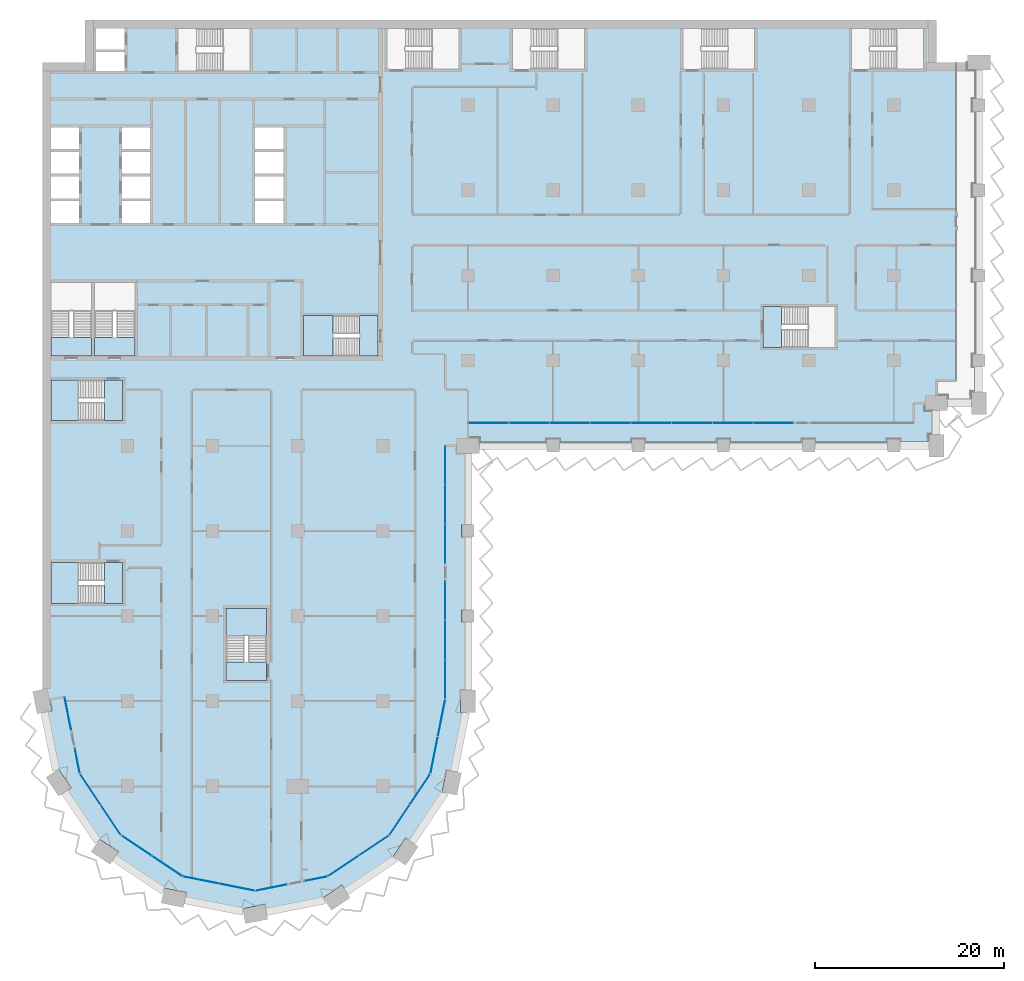
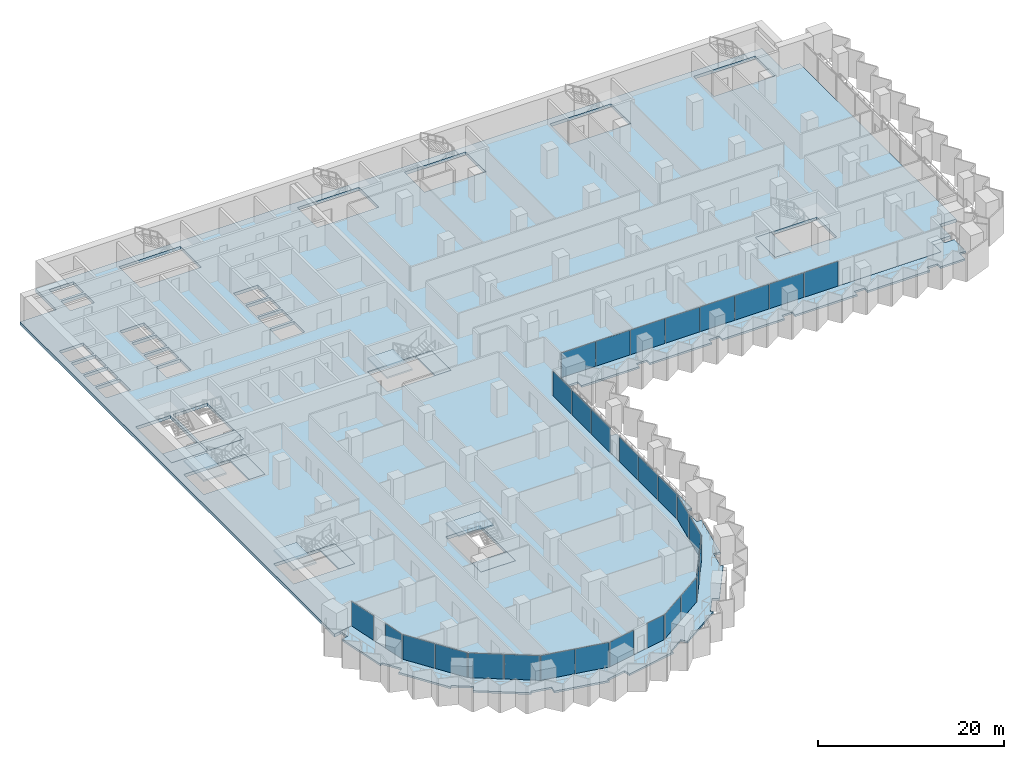
# One storey, part 8 of 28: 30 plates, 14 slabs, 17 elements without a shape of their own.
"""IFC4 building model written with IfcOpenShell, lengths in metres."""

from ifc_helpers import new_model, si_unit, direction, frame, origin, origin_2d, place, context, subcontext, project, spatial, polyline, rectangle, outline, extrude, material, layer, layer_set, type_object, element, aggregate, save


model = new_model("IFC4")

# Units and contexts
model_context = context("Model", 3, precision=1e-05, world=origin(), true_north=direction((0.0, 1.0)))
body_context = subcontext(model_context, "Body", "Model", "MODEL_VIEW")
ifc_project = project(units=[si_unit("LENGTHUNIT", "METRE"), si_unit("AREAUNIT", "SQUARE_METRE"), si_unit("VOLUMEUNIT", "CUBIC_METRE"), si_unit("PLANEANGLEUNIT", "RADIAN"), si_unit("MASSUNIT", "GRAM", prefix="KILO")], contexts=[model_context])

# Site, building, storey
site_placement = place(None, origin())
site = spatial("IfcSite", under=ifc_project, at=site_placement, CompositionType="ELEMENT")
building_placement = place(site_placement, origin())
building = spatial("IfcBuilding", under=site, at=building_placement, Name="Hunhe Ridgeline Campus", CompositionType="ELEMENT")
storey_placement = place(building_placement, frame((0.0, 0.0, 72.800048828125)))
storey = spatial("IfcBuildingStorey", under=building, at=storey_placement, Name="L17", CompositionType="ELEMENT", Elevation=72.800048828125)

# Curtain wall, plate
ifc_material_1 = material(Name="Aluminium 6063", Category="aluminium")
curtain_wall_type_1 = type_object("IfcCurtainWallType", Name="Curtain wall CW-5", PredefinedType="NOTDEFINED", material=ifc_material_1)
curtain_wall_1_placement = place(storey_placement, origin())
curtain_wall_1 = element("IfcCurtainWall", 1, at=curtain_wall_1_placement, inside=storey, type_object=curtain_wall_type_1, Name="Curtain wall 01", PredefinedType="NOTDEFINED")
ifc_material_2 = material(Name="Low-e laminated glass", Category="glass")
ifc_layer_1 = layer(ifc_material_2, 0.028076171875)
ifc_layer_set_1 = layer_set([ifc_layer_1], Name="Curtain wall glass panel 28 low-e laminated")
plate_type = type_object("IfcPlateType", Name="Curtain wall glass panel 28 low-e laminated", PredefinedType="CURTAIN_PANEL", material=ifc_layer_set_1)
plate_1_placement = place(storey_placement, frame((2.7158203125, 25.65380859375, 0.0), z_axis=(0.0, 0.0, 1.0), x_axis=(0.195095326561, -0.980784284924, 0.0)))
plate_1 = element("IfcPlate", 2, at=plate_1_placement, type_object=plate_type, Name="CW-5 panel 1", PredefinedType="CURTAIN_PANEL", context=body_context, shape_type="SweptSolid", body=[
    extrude(rectangle(XDim=3.560791015625, YDim=0.028076171875, at=origin_2d()), origin(), (0.0, 0.0, 1.0), 3.22998046875),
])
aggregate(curtain_wall_1, [plate_1])

curtain_wall_2_placement = place(storey_placement, origin())
curtain_wall_2 = element("IfcCurtainWall", 3, at=curtain_wall_2_placement, inside=storey, type_object=curtain_wall_type_1, Name="Curtain wall 02", PredefinedType="NOTDEFINED")
plate_2_placement = place(storey_placement, frame((3.701171875, 20.699951171875, 0.0), z_axis=(0.0, 0.0, 1.0), x_axis=(0.195095265587, -0.980784297053, 0.0)))
plate_2 = element("IfcPlate", 4, at=plate_2_placement, type_object=plate_type, Name="CW-5 panel 1", PredefinedType="CURTAIN_PANEL", context=body_context, shape_type="SweptSolid", body=[
    extrude(rectangle(XDim=2.660888671875, YDim=0.028076171875, at=origin_2d()), origin(), (0.0, 0.0, 1.0), 3.22998046875),
])
aggregate(curtain_wall_2, [plate_2])

# Curtain wall, plates
curtain_wall_3_placement = place(storey_placement, origin())
curtain_wall_3 = element("IfcCurtainWall", 5, at=curtain_wall_3_placement, inside=storey, type_object=curtain_wall_type_1, Name="Curtain wall 03", PredefinedType="NOTDEFINED")
plate_3_placement = place(storey_placement, frame((5.07080078125, 17.685546875, 0.0), z_axis=(0.0, 0.0, 1.0), x_axis=(0.555570274596, -0.831469584522, 0.0)))
plate_3 = element("IfcPlate", 6, at=plate_3_placement, type_object=plate_type, Name="CW-5 panel 1", PredefinedType="CURTAIN_PANEL", context=body_context, shape_type="SweptSolid", body=[
    extrude(rectangle(XDim=3.806884765625, YDim=0.028076171875, at=origin_2d()), origin(), (0.0, 0.0, 1.0), 3.22998046875),
])
plate_4_placement = place(storey_placement, frame((7.224609375, 14.4619140625, 0.0), z_axis=(0.0, 0.0, 1.0), x_axis=(0.555570274596, -0.831469584522, 0.0)))
plate_4 = element("IfcPlate", 7, at=plate_4_placement, type_object=plate_type, Name="CW-5 panel 2", PredefinedType="CURTAIN_PANEL", context=body_context, shape_type="SweptSolid", body=[
    extrude(rectangle(XDim=3.806884765625, YDim=0.028076171875, at=origin_2d()), origin(), (0.0, 0.0, 1.0), 3.22998046875),
])
aggregate(curtain_wall_3, [plate_3, plate_4])

curtain_wall_4_placement = place(storey_placement, origin())
curtain_wall_4 = element("IfcCurtainWall", 8, at=curtain_wall_4_placement, inside=storey, type_object=curtain_wall_type_1, Name="Curtain wall 04", PredefinedType="NOTDEFINED")
plate_5_placement = place(storey_placement, frame((9.9619140625, 11.724609375, 0.0), z_axis=(0.0, 0.0, 1.0), x_axis=(0.831469584522, -0.555570274596, 0.0)))
plate_5 = element("IfcPlate", 9, at=plate_5_placement, type_object=plate_type, Name="CW-5 panel 1", PredefinedType="CURTAIN_PANEL", context=body_context, shape_type="SweptSolid", body=[
    extrude(rectangle(XDim=3.806884765625, YDim=0.028076171875, at=origin_2d()), origin(), (0.0, 0.0, 1.0), 3.22998046875),
])
plate_6_placement = place(storey_placement, frame((13.185546875, 9.57080078125, 0.0), z_axis=(0.0, 0.0, 1.0), x_axis=(0.831469584522, -0.555570274596, 0.0)))
plate_6 = element("IfcPlate", 10, at=plate_6_placement, type_object=plate_type, Name="CW-5 panel 2", PredefinedType="CURTAIN_PANEL", context=body_context, shape_type="SweptSolid", body=[
    extrude(rectangle(XDim=3.806884765625, YDim=0.028076171875, at=origin_2d()), origin(), (0.0, 0.0, 1.0), 3.22998046875),
])
aggregate(curtain_wall_4, [plate_5, plate_6])

curtain_wall_5_placement = place(storey_placement, origin())
curtain_wall_5 = element("IfcCurtainWall", 11, at=curtain_wall_5_placement, inside=storey, type_object=curtain_wall_type_1, Name="Curtain wall 05", PredefinedType="NOTDEFINED")
plate_7_placement = place(storey_placement, frame((16.761962890625, 8.08935546875, 0.0), z_axis=(0.0, 0.0, 1.0), x_axis=(0.980785275326, -0.195090347539, 0.0)))
plate_7 = element("IfcPlate", 12, at=plate_7_placement, type_object=plate_type, Name="CW-5 panel 1", PredefinedType="CURTAIN_PANEL", context=body_context, shape_type="SweptSolid", body=[
    extrude(rectangle(XDim=3.806884765625, YDim=0.028076171875, at=origin_2d()), origin(), (0.0, 0.0, 1.0), 3.22998046875),
])
plate_8_placement = place(storey_placement, frame((20.564453125, 7.3330078125, 0.0), z_axis=(0.0, 0.0, 1.0), x_axis=(0.980785275326, -0.195090347539, 0.0)))
plate_8 = element("IfcPlate", 13, at=plate_8_placement, type_object=plate_type, Name="CW-5 panel 2", PredefinedType="CURTAIN_PANEL", context=body_context, shape_type="SweptSolid", body=[
    extrude(rectangle(XDim=3.806884765625, YDim=0.028076171875, at=origin_2d()), origin(), (0.0, 0.0, 1.0), 3.22998046875),
])
aggregate(curtain_wall_5, [plate_7, plate_8])

# Curtain wall, plate
curtain_wall_6_placement = place(storey_placement, origin())
curtain_wall_6 = element("IfcCurtainWall", 14, at=curtain_wall_6_placement, inside=storey, type_object=curtain_wall_type_1, Name="Curtain wall 06", PredefinedType="NOTDEFINED")
plate_9_placement = place(storey_placement, frame((24.19775390625, 7.28564453125, 0.0), z_axis=(0.0, 0.0, 1.0), x_axis=(0.980785270791, 0.19509037034, 0.0)))
plate_9 = element("IfcPlate", 15, at=plate_9_placement, type_object=plate_type, Name="CW-5 panel 1", PredefinedType="CURTAIN_PANEL", context=body_context, shape_type="SweptSolid", body=[
    extrude(rectangle(XDim=3.322021484375, YDim=0.028076171875, at=origin_2d()), origin(), (0.0, 0.0, 1.0), 3.22998046875),
])
aggregate(curtain_wall_6, [plate_9])

curtain_wall_7_placement = place(storey_placement, origin())
curtain_wall_7 = element("IfcCurtainWall", 16, at=curtain_wall_7_placement, inside=storey, type_object=curtain_wall_type_1, Name="Curtain wall 07", PredefinedType="NOTDEFINED")
plate_10_placement = place(storey_placement, frame((28.917236328125, 8.224609375, 0.0), z_axis=(0.0, 0.0, 1.0), x_axis=(0.980785242091, 0.195090514627, 0.0)))
plate_10 = element("IfcPlate", 17, at=plate_10_placement, type_object=plate_type, Name="CW-5 panel 1", PredefinedType="CURTAIN_PANEL", context=body_context, shape_type="SweptSolid", body=[
    extrude(rectangle(XDim=2.421875, YDim=0.028076171875, at=origin_2d()), origin(), (0.0, 0.0, 1.0), 3.22998046875),
])
aggregate(curtain_wall_7, [plate_10])

# Curtain wall, plates
curtain_wall_8_placement = place(storey_placement, origin())
curtain_wall_8 = element("IfcCurtainWall", 18, at=curtain_wall_8_placement, inside=storey, type_object=curtain_wall_type_1, Name="Curtain wall 08", PredefinedType="NOTDEFINED")
plate_11_placement = place(storey_placement, frame((31.814453125, 9.57080078125, 0.0), z_axis=(0.0, 0.0, 1.0), x_axis=(0.831469584522, 0.555570274596, 0.0)))
plate_11 = element("IfcPlate", 19, at=plate_11_placement, type_object=plate_type, Name="CW-5 panel 1", PredefinedType="CURTAIN_PANEL", context=body_context, shape_type="SweptSolid", body=[
    extrude(rectangle(XDim=3.806884765625, YDim=0.028076171875, at=origin_2d()), origin(), (0.0, 0.0, 1.0), 3.22998046875),
])
plate_12_placement = place(storey_placement, frame((35.0380859375, 11.724609375, 0.0), z_axis=(0.0, 0.0, 1.0), x_axis=(0.831469584522, 0.555570274596, 0.0)))
plate_12 = element("IfcPlate", 20, at=plate_12_placement, type_object=plate_type, Name="CW-5 panel 2", PredefinedType="CURTAIN_PANEL", context=body_context, shape_type="SweptSolid", body=[
    extrude(rectangle(XDim=3.806884765625, YDim=0.028076171875, at=origin_2d()), origin(), (0.0, 0.0, 1.0), 3.22998046875),
])
aggregate(curtain_wall_8, [plate_11, plate_12])

curtain_wall_9_placement = place(storey_placement, origin())
curtain_wall_9 = element("IfcCurtainWall", 21, at=curtain_wall_9_placement, inside=storey, type_object=curtain_wall_type_1, Name="Curtain wall 09", PredefinedType="NOTDEFINED")
plate_13_placement = place(storey_placement, frame((37.775390625, 14.4619140625, 0.0), z_axis=(0.0, 0.0, 1.0), x_axis=(0.555570274596, 0.831469584522, 0.0)))
plate_13 = element("IfcPlate", 22, at=plate_13_placement, type_object=plate_type, Name="CW-5 panel 1", PredefinedType="CURTAIN_PANEL", context=body_context, shape_type="SweptSolid", body=[
    extrude(rectangle(XDim=3.806884765625, YDim=0.028076171875, at=origin_2d()), origin(), (0.0, 0.0, 1.0), 3.22998046875),
])
plate_14_placement = place(storey_placement, frame((39.92919921875, 17.685546875, 0.0), z_axis=(0.0, 0.0, 1.0), x_axis=(0.555570274596, 0.831469584522, 0.0)))
plate_14 = element("IfcPlate", 23, at=plate_14_placement, type_object=plate_type, Name="CW-5 panel 2", PredefinedType="CURTAIN_PANEL", context=body_context, shape_type="SweptSolid", body=[
    extrude(rectangle(XDim=3.806884765625, YDim=0.028076171875, at=origin_2d()), origin(), (0.0, 0.0, 1.0), 3.22998046875),
])
aggregate(curtain_wall_9, [plate_13, plate_14])

curtain_wall_10_placement = place(storey_placement, origin())
curtain_wall_10 = element("IfcCurtainWall", 24, at=curtain_wall_10_placement, inside=storey, type_object=curtain_wall_type_1, Name="Curtain wall 10", PredefinedType="NOTDEFINED")
plate_15_placement = place(storey_placement, frame((41.42236328125, 21.321044921875, 0.0), z_axis=(0.0, 0.0, 1.0), x_axis=(0.195090299215, 0.980785284939, 0.0)))
plate_15 = element("IfcPlate", 25, at=plate_15_placement, type_object=plate_type, Name="CW-5 panel 1", PredefinedType="CURTAIN_PANEL", context=body_context, shape_type="SweptSolid", body=[
    extrude(rectangle(XDim=3.927490234375, YDim=0.028076171875, at=origin_2d()), origin(), (0.0, 0.0, 1.0), 3.22998046875),
])
plate_16_placement = place(storey_placement, frame((42.2021484375, 25.24169921875, 0.0), z_axis=(0.0, 0.0, 1.0), x_axis=(0.195090299215, 0.980785284939, 0.0)))
plate_16 = element("IfcPlate", 26, at=plate_16_placement, type_object=plate_type, Name="CW-5 panel 2", PredefinedType="CURTAIN_PANEL", context=body_context, shape_type="SweptSolid", body=[
    extrude(rectangle(XDim=3.927490234375, YDim=0.028076171875, at=origin_2d()), origin(), (0.0, 0.0, 1.0), 3.22998046875),
])
aggregate(curtain_wall_10, [plate_15, plate_16])

curtain_wall_type_2 = type_object("IfcCurtainWallType", Name="Curtain wall CW-1", PredefinedType="NOTDEFINED", material=ifc_material_1)
curtain_wall_11_placement = place(storey_placement, origin())
curtain_wall_11 = element("IfcCurtainWall", 27, at=curtain_wall_11_placement, inside=storey, type_object=curtain_wall_type_2, Name="Curtain wall 11", PredefinedType="NOTDEFINED")
plate_17_placement = place(storey_placement, frame((42.59912109375, 29.331787109375, 0.0), z_axis=(0.0, 0.0, 1.0), x_axis=(1.60239e-07, 1.0, 0.0)))
plate_17 = element("IfcPlate", 28, at=plate_17_placement, type_object=plate_type, Name="CW-1 panel 1", PredefinedType="CURTAIN_PANEL", context=body_context, shape_type="SweptSolid", body=[
    extrude(rectangle(XDim=4.070556640625, YDim=0.028076171875, at=origin_2d()), origin(), (0.0, 0.0, 1.0), 3.239990234375),
])
plate_18_placement = place(storey_placement, frame((42.59912109375, 33.477294921875, 0.0), z_axis=(0.0, 0.0, 1.0), x_axis=(1.60239e-07, 1.0, 0.0)))
plate_18 = element("IfcPlate", 29, at=plate_18_placement, type_object=plate_type, Name="CW-1 panel 2", PredefinedType="CURTAIN_PANEL", context=body_context, shape_type="SweptSolid", body=[
    extrude(rectangle(XDim=4.1005859375, YDim=0.028076171875, at=origin_2d()), origin(), (0.0, 0.0, 1.0), 3.239990234375),
])
plate_19_placement = place(storey_placement, frame((42.59912109375, 37.623046875, 0.0), z_axis=(0.0, 0.0, 1.0), x_axis=(1.60239e-07, 1.0, 0.0)))
plate_19 = element("IfcPlate", 30, at=plate_19_placement, type_object=plate_type, Name="CW-1 panel 3", PredefinedType="CURTAIN_PANEL", context=body_context, shape_type="SweptSolid", body=[
    extrude(rectangle(XDim=4.070556640625, YDim=0.028076171875, at=origin_2d()), origin(), (0.0, 0.0, 1.0), 3.239990234375),
])
aggregate(curtain_wall_11, [plate_17, plate_18, plate_19])

curtain_wall_12_placement = place(storey_placement, origin())
curtain_wall_12 = element("IfcCurtainWall", 31, at=curtain_wall_12_placement, inside=storey, type_object=curtain_wall_type_2, Name="Curtain wall 12", PredefinedType="NOTDEFINED")
plate_20_placement = place(storey_placement, frame((42.59912109375, 43.613525390625, 0.0), z_axis=(0.0, 0.0, 1.0), x_axis=(1.60239e-07, 1.0, 0.0)))
plate_20 = element("IfcPlate", 32, at=plate_20_placement, type_object=plate_type, Name="CW-1 panel 1", PredefinedType="CURTAIN_PANEL", context=body_context, shape_type="SweptSolid", body=[
    extrude(rectangle(XDim=4.070556640625, YDim=0.028076171875, at=origin_2d()), origin(), (0.0, 0.0, 1.0), 3.239990234375),
])
plate_21_placement = place(storey_placement, frame((42.59912109375, 47.75927734375, 0.0), z_axis=(0.0, 0.0, 1.0), x_axis=(1.60239e-07, 1.0, 0.0)))
plate_21 = element("IfcPlate", 33, at=plate_21_placement, type_object=plate_type, Name="CW-1 panel 2", PredefinedType="CURTAIN_PANEL", context=body_context, shape_type="SweptSolid", body=[
    extrude(rectangle(XDim=4.1005859375, YDim=0.028076171875, at=origin_2d()), origin(), (0.0, 0.0, 1.0), 3.239990234375),
])
plate_22_placement = place(storey_placement, frame((42.59912109375, 51.90478515625, 0.0), z_axis=(0.0, 0.0, 1.0), x_axis=(1.60239e-07, 1.0, 0.0)))
plate_22 = element("IfcPlate", 34, at=plate_22_placement, type_object=plate_type, Name="CW-1 panel 3", PredefinedType="CURTAIN_PANEL", context=body_context, shape_type="SweptSolid", body=[
    extrude(rectangle(XDim=4.070556640625, YDim=0.028076171875, at=origin_2d()), origin(), (0.0, 0.0, 1.0), 3.239990234375),
])
aggregate(curtain_wall_12, [plate_20, plate_21, plate_22])

curtain_wall_13_placement = place(storey_placement, origin())
curtain_wall_13 = element("IfcCurtainWall", 35, at=curtain_wall_13_placement, inside=storey, type_object=curtain_wall_type_2, Name="Curtain wall 13", PredefinedType="NOTDEFINED")
plate_23_placement = place(storey_placement, frame((47.166015625, 56.40087890625, 0.0), z_axis=(0.0, 0.0, 1.0), x_axis=(0.999999999994, 3.602063e-06, 0.0)))
plate_23 = element("IfcPlate", 36, at=plate_23_placement, type_object=plate_type, Name="CW-1 panel 1", PredefinedType="CURTAIN_PANEL", context=body_context, shape_type="SweptSolid", body=[
    extrude(rectangle(XDim=4.213134765625, YDim=0.028076171875, at=origin_2d()), origin(), (0.0, 0.0, 1.0), 3.239990234375),
])
plate_24_placement = place(storey_placement, frame((51.4541015625, 56.40087890625, 0.0), z_axis=(0.0, 0.0, 1.0), x_axis=(0.999999999994, 3.602063e-06, 0.0)))
plate_24 = element("IfcPlate", 37, at=plate_24_placement, type_object=plate_type, Name="CW-1 panel 2", PredefinedType="CURTAIN_PANEL", context=body_context, shape_type="SweptSolid", body=[
    extrude(rectangle(XDim=4.2431640625, YDim=0.028076171875, at=origin_2d()), origin(), (0.0, 0.0, 1.0), 3.239990234375),
])
plate_25_placement = place(storey_placement, frame((55.757080078125, 56.40087890625, 0.0), z_axis=(0.0, 0.0, 1.0), x_axis=(0.999999999994, 3.602063e-06, 0.0)))
plate_25 = element("IfcPlate", 38, at=plate_25_placement, type_object=plate_type, Name="CW-1 panel 3", PredefinedType="CURTAIN_PANEL", context=body_context, shape_type="SweptSolid", body=[
    extrude(rectangle(XDim=4.2431640625, YDim=0.028076171875, at=origin_2d()), origin(), (0.0, 0.0, 1.0), 3.239990234375),
])
plate_26_placement = place(storey_placement, frame((60.060302734375, 56.40087890625, 0.0), z_axis=(0.0, 0.0, 1.0), x_axis=(0.999999999994, 3.602063e-06, 0.0)))
plate_26 = element("IfcPlate", 39, at=plate_26_placement, type_object=plate_type, Name="CW-1 panel 4", PredefinedType="CURTAIN_PANEL", context=body_context, shape_type="SweptSolid", body=[
    extrude(rectangle(XDim=4.2431640625, YDim=0.028076171875, at=origin_2d()), origin(), (0.0, 0.0, 1.0), 3.239990234375),
])
plate_27_placement = place(storey_placement, frame((64.36328125, 56.40087890625, 0.0), z_axis=(0.0, 0.0, 1.0), x_axis=(0.999999999994, 3.602063e-06, 0.0)))
plate_27 = element("IfcPlate", 40, at=plate_27_placement, type_object=plate_type, Name="CW-1 panel 5", PredefinedType="CURTAIN_PANEL", context=body_context, shape_type="SweptSolid", body=[
    extrude(rectangle(XDim=4.2431640625, YDim=0.028076171875, at=origin_2d()), origin(), (0.0, 0.0, 1.0), 3.239990234375),
])
plate_28_placement = place(storey_placement, frame((68.66650390625, 56.40087890625, 0.0), z_axis=(0.0, 0.0, 1.0), x_axis=(0.999999999994, 3.602063e-06, 0.0)))
plate_28 = element("IfcPlate", 41, at=plate_28_placement, type_object=plate_type, Name="CW-1 panel 6", PredefinedType="CURTAIN_PANEL", context=body_context, shape_type="SweptSolid", body=[
    extrude(rectangle(XDim=4.2431640625, YDim=0.028076171875, at=origin_2d()), origin(), (0.0, 0.0, 1.0), 3.239990234375),
])
plate_29_placement = place(storey_placement, frame((72.969482421875, 56.40087890625, 0.0), z_axis=(0.0, 0.0, 1.0), x_axis=(0.999999999994, 3.602063e-06, 0.0)))
plate_29 = element("IfcPlate", 42, at=plate_29_placement, type_object=plate_type, Name="CW-1 panel 7", PredefinedType="CURTAIN_PANEL", context=body_context, shape_type="SweptSolid", body=[
    extrude(rectangle(XDim=4.2431640625, YDim=0.028076171875, at=origin_2d()), origin(), (0.0, 0.0, 1.0), 3.239990234375),
])
plate_30_placement = place(storey_placement, frame((77.257568359375, 56.40087890625, 0.0), z_axis=(0.0, 0.0, 1.0), x_axis=(0.999999999994, 3.602063e-06, 0.0)))
plate_30 = element("IfcPlate", 43, at=plate_30_placement, type_object=plate_type, Name="CW-1 panel 8", PredefinedType="CURTAIN_PANEL", context=body_context, shape_type="SweptSolid", body=[
    extrude(rectangle(XDim=4.213134765625, YDim=0.028076171875, at=origin_2d()), origin(), (0.0, 0.0, 1.0), 3.239990234375),
])
aggregate(curtain_wall_13, [plate_23, plate_24, plate_25, plate_26, plate_27, plate_28, plate_29, plate_30])

# Slabs
ifc_material_3 = material(Name="Concrete C40", Category="concrete")
ifc_layer_2 = layer(ifc_material_3, 0.39990234375)
ifc_layer_set_2 = layer_set([ifc_layer_2], Name="Floor slab 400 Concrete C40")
slab_type_1 = type_object("IfcSlabType", Name="Floor slab 400 Concrete C40", PredefinedType="FLOOR", material=ifc_layer_set_2)
slab_1_placement = place(storey_placement, frame((0.0, 0.0, -0.400146484375)))
element("IfcSlab", 44, at=slab_1_placement, inside=storey, type_object=slab_type_1, Name="Floor slab L17 1", PredefinedType="FLOOR", context=body_context, shape_type="SweptSolid", body=[
    extrude(outline(polyline([(4.5, 94.5), (0.0, 94.5), (0.0, 27.0009765625), (2.354736328125, 27.46875), (3.974365234375, 19.326416015625), (8.321044921875, 12.821044921875), (14.826416015625, 8.474365234375), (22.5, 6.947998046875), (30.173583984375, 8.474365234375), (36.678955078125, 12.821044921875), (41.025634765625, 19.326416015625), (42.59912109375, 27.236572265625), (42.59912109375, 54.0), (44.9990234375, 54.0009765625), (44.99951171875, 56.40087890625), (92.09912109375, 56.40087890625), (92.099365234375, 58.500732421875), (94.4990234375, 58.5009765625), (94.499267578125, 60.900634765625), (96.59912109375, 60.90087890625), (96.59912109375, 94.5), (94.5, 94.5), (94.5, 99.0), (4.5, 99.0), (4.5, 94.5)]), holes=[polyline([(93.14990234375, 93.800048828125), (93.14990234375, 98.10009765625), (85.550048828125, 98.10009765625), (85.550048828125, 93.800048828125), (93.14990234375, 93.800048828125)]), polyline([(76.199951171875, 68.699951171875), (76.199951171875, 64.39990234375), (83.800048828125, 64.39990234375), (83.800048828125, 68.699951171875), (76.199951171875, 68.699951171875)]), polyline([(75.300048828125, 98.10009765625), (67.699951171875, 98.10009765625), (67.699951171875, 93.800048828125), (75.300048828125, 93.800048828125), (75.300048828125, 98.10009765625)]), polyline([(49.699951171875, 98.10009765625), (49.699951171875, 93.800048828125), (57.300048828125, 93.800048828125), (57.300048828125, 98.10009765625), (49.699951171875, 98.10009765625)]), polyline([(36.449951171875, 93.800048828125), (44.050048828125, 93.800048828125), (44.050048828125, 98.10009765625), (36.449951171875, 98.10009765625), (36.449951171875, 93.800048828125)]), polyline([(35.5, 63.5), (35.5, 67.75), (27.60009765625, 67.75), (27.60009765625, 63.5), (35.5, 63.5)]), polyline([(25.5, 80.14990234375), (25.5, 82.449951171875), (22.5, 82.449951171875), (22.5, 80.14990234375), (25.5, 80.14990234375)]), polyline([(25.5, 79.85009765625), (22.5, 79.85009765625), (22.5, 77.550048828125), (25.5, 77.550048828125), (25.5, 79.85009765625)]), polyline([(22.5, 87.64990234375), (22.5, 85.35009765625), (25.5, 85.35009765625), (25.5, 87.64990234375), (22.5, 87.64990234375)]), polyline([(22.5, 82.75), (25.5, 82.75), (25.5, 85.050048828125), (22.5, 85.050048828125), (22.5, 82.75)]), polyline([(23.699951171875, 29.199951171875), (23.699951171875, 36.800048828125), (19.39990234375, 36.800048828125), (19.39990234375, 29.199951171875), (23.699951171875, 29.199951171875)]), polyline([(14.35009765625, 93.60009765625), (21.949951171875, 93.60009765625), (21.949951171875, 98.10009765625), (14.35009765625, 98.10009765625), (14.35009765625, 93.60009765625)]), polyline([(11.39990234375, 79.85009765625), (8.39990234375, 79.85009765625), (8.39990234375, 77.550048828125), (11.39990234375, 77.550048828125), (11.39990234375, 79.85009765625)]), polyline([(11.39990234375, 80.14990234375), (11.39990234375, 82.449951171875), (8.39990234375, 82.449951171875), (8.39990234375, 80.14990234375), (11.39990234375, 80.14990234375)]), polyline([(8.39990234375, 87.64990234375), (8.39990234375, 85.35009765625), (11.39990234375, 85.35009765625), (11.39990234375, 87.64990234375), (8.39990234375, 87.64990234375)]), polyline([(8.39990234375, 82.75), (11.39990234375, 82.75), (11.39990234375, 85.050048828125), (8.39990234375, 85.050048828125), (8.39990234375, 82.75)]), polyline([(9.800048828125, 71.25), (5.5, 71.25), (5.5, 63.5), (9.800048828125, 63.5), (9.800048828125, 71.25)]), polyline([(8.699951171875, 95.89990234375), (8.699951171875, 98.10009765625), (5.699951171875, 98.10009765625), (5.699951171875, 95.89990234375), (8.699951171875, 95.89990234375)]), polyline([(8.699951171875, 95.60009765625), (5.699951171875, 95.60009765625), (5.699951171875, 93.60009765625), (8.699951171875, 93.60009765625), (8.699951171875, 95.60009765625)]), polyline([(0.89990234375, 37.35009765625), (8.5, 37.35009765625), (8.5, 41.64990234375), (0.89990234375, 41.64990234375), (0.89990234375, 37.35009765625)]), polyline([(0.89990234375, 60.949951171875), (0.89990234375, 56.64990234375), (8.5, 56.64990234375), (8.5, 60.949951171875), (0.89990234375, 60.949951171875)]), polyline([(0.89990234375, 71.25), (0.89990234375, 63.5), (5.199951171875, 63.5), (5.199951171875, 71.25), (0.89990234375, 71.25)]), polyline([(3.89990234375, 80.14990234375), (3.89990234375, 82.449951171875), (0.89990234375, 82.449951171875), (0.89990234375, 80.14990234375), (3.89990234375, 80.14990234375)]), polyline([(3.89990234375, 79.85009765625), (0.89990234375, 79.85009765625), (0.89990234375, 77.550048828125), (3.89990234375, 77.550048828125), (3.89990234375, 79.85009765625)]), polyline([(0.89990234375, 87.64990234375), (0.89990234375, 85.35009765625), (3.89990234375, 85.35009765625), (3.89990234375, 87.64990234375), (0.89990234375, 87.64990234375)]), polyline([(0.89990234375, 82.75), (3.89990234375, 82.75), (3.89990234375, 85.050048828125), (0.89990234375, 85.050048828125), (0.89990234375, 82.75)])]), origin(), (0.0, 0.0, 1.0), 0.400146484375),
])
ifc_layer_3 = layer(ifc_material_3, 0.25)
ifc_layer_set_3 = layer_set([ifc_layer_3], Name="Loggia slab 250 Concrete C40")
slab_type_2 = type_object("IfcSlabType", Name="Loggia slab 250 Concrete C40", PredefinedType="FLOOR", material=ifc_layer_set_3)
slab_2_placement = place(storey_placement, frame((0.0, 0.0, -0.25)))
element("IfcSlab", 45, at=slab_2_placement, inside=storey, type_object=slab_type_2, Name="Loggia slab 1", PredefinedType="FLOOR", context=body_context, shape_type="SweptSolid", body=[
    extrude(outline(polyline([(30.173828125, 8.473388671875), (22.5, 6.947021484375), (14.826171875, 8.473388671875), (8.3203125, 12.8203125), (3.973388671875, 19.326171875), (2.35400390625, 27.46826171875), (0.78466796875, 27.156005859375), (1.018798828125, 25.979248046875), (0.234130859375, 25.822998046875), (1.459228515625, 19.66357421875), (1.711181640625, 19.831787109375), (3.044677734375, 17.83642578125), (2.37939453125, 17.391845703125), (5.868408203125, 12.170166015625), (6.036865234375, 12.421875), (8.0322265625, 11.088623046875), (7.587890625, 10.42333984375), (12.8095703125, 6.934326171875), (12.86865234375, 7.2314453125), (15.22265625, 6.76318359375), (15.066650390625, 5.978515625), (21.22607421875, 4.75341796875), (21.1669921875, 5.050537109375), (23.520751953125, 5.518798828125), (23.677001953125, 4.734130859375), (29.83642578125, 5.959228515625), (29.668212890625, 6.211181640625), (31.66357421875, 7.544677734375), (32.108154296875, 6.87939453125), (37.329833984375, 10.368408203125), (37.078125, 10.536865234375), (38.411376953125, 12.5322265625), (39.07666015625, 12.087890625), (42.565673828125, 17.3095703125), (42.2685546875, 17.36865234375), (42.73681640625, 19.72265625), (43.521484375, 19.566650390625), (44.76123046875, 25.800048828125), (44.199951171875, 25.800048828125), (44.199951171875, 28.199951171875), (45.0, 28.199951171875), (45.0, 35.35009765625), (44.35009765625, 35.35009765625), (44.35009765625, 36.64990234375), (45.0, 36.64990234375), (45.0, 44.35009765625), (44.35009765625, 44.35009765625), (44.35009765625, 45.64990234375), (45.0, 45.64990234375), (45.0, 53.199951171875), (43.800048828125, 53.199951171875), (43.800048828125, 54.0), (42.60009765625, 54.0), (42.60009765625, 27.236328125), (41.026611328125, 19.326171875), (36.6796875, 12.8203125), (30.173828125, 8.473388671875)])), origin(), (0.0, 0.0, 1.0), 0.25),
])
slab_3_placement = place(storey_placement, frame((0.0, 0.0, -0.25)))
element("IfcSlab", 46, at=slab_3_placement, inside=storey, type_object=slab_type_2, Name="Loggia slab 2", PredefinedType="FLOOR", context=body_context, shape_type="SweptSolid", body=[
    extrude(outline(polyline([(45.0, 54.800048828125), (46.199951171875, 54.800048828125), (46.199951171875, 54.0), (53.35009765625, 54.0), (53.35009765625, 54.64990234375), (54.64990234375, 54.64990234375), (54.64990234375, 54.0), (62.35009765625, 54.0), (62.35009765625, 54.64990234375), (63.64990234375, 54.64990234375), (63.64990234375, 54.0), (71.35009765625, 54.0), (71.35009765625, 54.64990234375), (72.64990234375, 54.64990234375), (72.64990234375, 54.0), (80.35009765625, 54.0), (80.35009765625, 54.64990234375), (81.64990234375, 54.64990234375), (81.64990234375, 54.0), (89.35009765625, 54.0), (89.35009765625, 54.64990234375), (90.64990234375, 54.64990234375), (90.64990234375, 54.0), (93.699951171875, 54.0), (93.699951171875, 55.199951171875), (94.5, 55.199951171875), (94.5, 57.699951171875), (93.300048828125, 57.699951171875), (93.300048828125, 58.5), (92.10009765625, 58.5), (92.10009765625, 56.39990234375), (45.0, 56.39990234375), (45.0, 54.800048828125)])), origin(), (0.0, 0.0, 1.0), 0.25),
])

# Stair, slab
stair_type = type_object("IfcStairType", Name="Reinforced concrete dog-leg stair 1950 Concrete C40", PredefinedType="HALF_TURN_STAIR", material=ifc_material_3)
stair_1_placement = place(storey_placement, origin())
stair_1 = element("IfcStair", 47, at=stair_1_placement, inside=storey, type_object=stair_type, Name="L17 S2", PredefinedType="HALF_TURN_STAIR")
ifc_layer_4 = layer(ifc_material_3, 0.199951171875)
ifc_layer_set_4 = layer_set([ifc_layer_4], Name="Reinforced concrete stair landing 200 Concrete C40")
slab_type_3 = type_object("IfcSlabType", Name="Reinforced concrete stair landing 200 Concrete C40", PredefinedType="LANDING", material=ifc_layer_set_4)
slab_4_placement = place(storey_placement, frame((0.0, 0.0, 1.64990234375)))
slab_4 = element("IfcSlab", 48, at=slab_4_placement, type_object=slab_type_3, Name="ST2 landing 1", PredefinedType="LANDING", context=body_context, shape_type="SweptSolid", body=[
    extrude(outline(polyline([(30.75, 67.75), (27.60009765625, 67.75), (27.60009765625, 63.5), (30.75, 63.5), (30.75, 67.75)])), origin(), (0.0, 0.0, 1.0), 0.199951171875),
])
aggregate(stair_1, [slab_4])

# Slabs
slab_5_placement = place(storey_placement, frame((0.0, 0.0, -0.199951171875)))
element("IfcSlab", 49, at=slab_5_placement, inside=storey, type_object=slab_type_3, Name="L17 stair S2 floor landing", PredefinedType="LANDING", context=body_context, shape_type="SweptSolid", body=[
    extrude(outline(polyline([(35.5, 67.75), (33.550048828125, 67.75), (33.550048828125, 63.5), (35.5, 63.5), (35.5, 67.75)])), origin(), (0.0, 0.0, 1.0), 0.199951171875),
])
slab_6_placement = place(storey_placement, frame((0.0, 0.0, -0.199951171875)))
element("IfcSlab", 50, at=slab_6_placement, inside=storey, type_object=slab_type_3, Name="L17 stair S3 floor landing", PredefinedType="LANDING", context=body_context, shape_type="SweptSolid", body=[
    extrude(outline(polyline([(5.199951171875, 63.5), (5.199951171875, 65.449951171875), (0.89990234375, 65.449951171875), (0.89990234375, 63.5), (5.199951171875, 63.5)])), origin(), (0.0, 0.0, 1.0), 0.199951171875),
])
slab_7_placement = place(storey_placement, frame((0.0, 0.0, -0.199951171875)))
element("IfcSlab", 51, at=slab_7_placement, inside=storey, type_object=slab_type_3, Name="L17 stair S4 floor landing", PredefinedType="LANDING", context=body_context, shape_type="SweptSolid", body=[
    extrude(outline(polyline([(9.800048828125, 63.5), (9.800048828125, 65.449951171875), (5.5, 65.449951171875), (5.5, 63.5), (9.800048828125, 63.5)])), origin(), (0.0, 0.0, 1.0), 0.199951171875),
])

# Stair, slab
stair_2_placement = place(storey_placement, origin())
stair_2 = element("IfcStair", 52, at=stair_2_placement, inside=storey, type_object=stair_type, Name="L17 W3", PredefinedType="HALF_TURN_STAIR")
slab_8_placement = place(storey_placement, frame((0.0, 0.0, 1.64990234375)))
slab_8 = element("IfcSlab", 53, at=slab_8_placement, type_object=slab_type_3, Name="ST9 landing 1", PredefinedType="LANDING", context=body_context, shape_type="SweptSolid", body=[
    extrude(outline(polyline([(23.699951171875, 33.949951171875), (23.699951171875, 36.800048828125), (19.39990234375, 36.800048828125), (19.39990234375, 33.949951171875), (23.699951171875, 33.949951171875)])), origin(), (0.0, 0.0, 1.0), 0.199951171875),
])
aggregate(stair_2, [slab_8])

# Slabs
slab_9_placement = place(storey_placement, frame((0.0, 0.0, -0.199951171875)))
element("IfcSlab", 54, at=slab_9_placement, inside=storey, type_object=slab_type_3, Name="L17 stair W3 floor landing", PredefinedType="LANDING", context=body_context, shape_type="SweptSolid", body=[
    extrude(outline(polyline([(23.699951171875, 29.199951171875), (23.699951171875, 31.14990234375), (19.39990234375, 31.14990234375), (19.39990234375, 29.199951171875), (23.699951171875, 29.199951171875)])), origin(), (0.0, 0.0, 1.0), 0.199951171875),
])
slab_10_placement = place(storey_placement, frame((0.0, 0.0, -0.199951171875)))
element("IfcSlab", 55, at=slab_10_placement, inside=storey, type_object=slab_type_3, Name="L17 stair E5 floor landing", PredefinedType="LANDING", context=body_context, shape_type="SweptSolid", body=[
    extrude(outline(polyline([(76.199951171875, 64.39990234375), (78.14990234375, 64.39990234375), (78.14990234375, 68.699951171875), (76.199951171875, 68.699951171875), (76.199951171875, 64.39990234375)])), origin(), (0.0, 0.0, 1.0), 0.199951171875),
])

# Stair, slab
stair_3_placement = place(storey_placement, origin())
stair_3 = element("IfcStair", 56, at=stair_3_placement, inside=storey, type_object=stair_type, Name="L17 W1", PredefinedType="HALF_TURN_STAIR")
slab_11_placement = place(storey_placement, frame((0.0, 0.0, 1.64990234375)))
slab_11 = element("IfcSlab", 57, at=slab_11_placement, type_object=slab_type_3, Name="ST11 landing 1", PredefinedType="LANDING", context=body_context, shape_type="SweptSolid", body=[
    extrude(outline(polyline([(3.75, 41.64990234375), (0.89990234375, 41.64990234375), (0.89990234375, 37.35009765625), (3.75, 37.35009765625), (3.75, 41.64990234375)])), origin(), (0.0, 0.0, 1.0), 0.199951171875),
])
aggregate(stair_3, [slab_11])

# Slab
slab_12_placement = place(storey_placement, frame((0.0, 0.0, -0.199951171875)))
element("IfcSlab", 58, at=slab_12_placement, inside=storey, type_object=slab_type_3, Name="L17 stair W1 floor landing", PredefinedType="LANDING", context=body_context, shape_type="SweptSolid", body=[
    extrude(outline(polyline([(8.5, 41.64990234375), (6.550048828125, 41.64990234375), (6.550048828125, 37.35009765625), (8.5, 37.35009765625), (8.5, 41.64990234375)])), origin(), (0.0, 0.0, 1.0), 0.199951171875),
])

# Stair, slab
stair_4_placement = place(storey_placement, origin())
stair_4 = element("IfcStair", 59, at=stair_4_placement, inside=storey, type_object=stair_type, Name="L17 W2", PredefinedType="HALF_TURN_STAIR")
slab_13_placement = place(storey_placement, frame((0.0, 0.0, 1.64990234375)))
slab_13 = element("IfcSlab", 60, at=slab_13_placement, type_object=slab_type_3, Name="ST12 landing 1", PredefinedType="LANDING", context=body_context, shape_type="SweptSolid", body=[
    extrude(outline(polyline([(3.75, 60.949951171875), (0.89990234375, 60.949951171875), (0.89990234375, 56.64990234375), (3.75, 56.64990234375), (3.75, 60.949951171875)])), origin(), (0.0, 0.0, 1.0), 0.199951171875),
])
aggregate(stair_4, [slab_13])

# Slab
slab_14_placement = place(storey_placement, frame((0.0, 0.0, -0.199951171875)))
element("IfcSlab", 61, at=slab_14_placement, inside=storey, type_object=slab_type_3, Name="L17 stair W2 floor landing", PredefinedType="LANDING", context=body_context, shape_type="SweptSolid", body=[
    extrude(outline(polyline([(8.5, 60.949951171875), (6.550048828125, 60.949951171875), (6.550048828125, 56.64990234375), (8.5, 56.64990234375), (8.5, 60.949951171875)])), origin(), (0.0, 0.0, 1.0), 0.199951171875),
])

save(model, "model.ifc")
